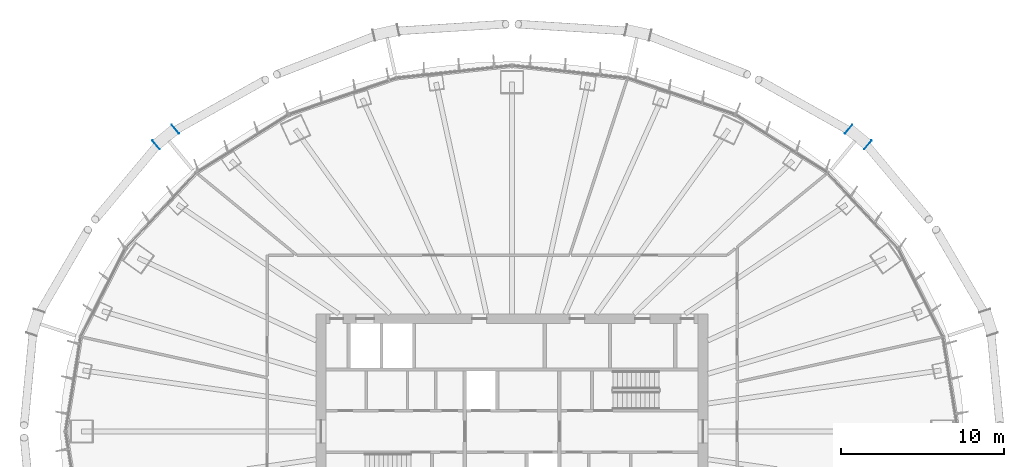
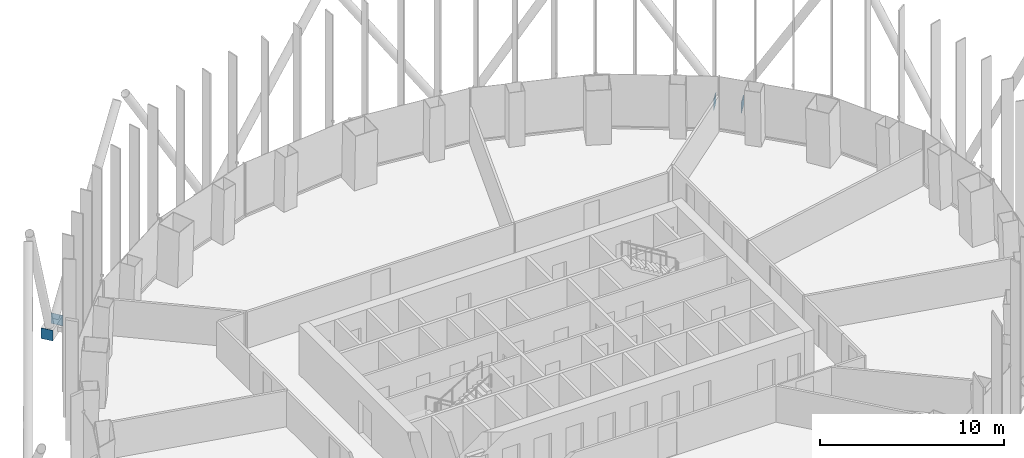
# One storey, part 11 of 19: 4 discrete accessories.
"""IFC4 building model written with IfcOpenShell, lengths in metres."""

from ifc_helpers import new_model, si_unit, direction, frame, origin, origin_2d, place, context, subcontext, project, spatial, rectangle, extrude, material, layer, layer_set, type_object, element, save


model = new_model("IFC4")

# Units and contexts
model_context = context("Model", 3, precision=1e-05, world=origin(), true_north=direction((0.0, 1.0)))
body_context = subcontext(model_context, "Body", "Model", "MODEL_VIEW")
ifc_project = project(units=[si_unit("LENGTHUNIT", "METRE"), si_unit("AREAUNIT", "SQUARE_METRE"), si_unit("VOLUMEUNIT", "CUBIC_METRE"), si_unit("PLANEANGLEUNIT", "RADIAN"), si_unit("MASSUNIT", "GRAM", prefix="KILO")], contexts=[model_context])

# Site, building, storey
site_placement = place(None, origin())
site = spatial("IfcSite", under=ifc_project, at=site_placement, CompositionType="ELEMENT")
building_placement = place(site_placement, origin())
building = spatial("IfcBuilding", under=site, at=building_placement, Name="Siaravel Broadcast Tower", CompositionType="ELEMENT")
storey_placement = place(building_placement, frame((0.0, 0.0, 59.300048828125)))
storey = spatial("IfcBuildingStorey", under=building, at=storey_placement, Name="L13", CompositionType="ELEMENT", Elevation=59.300048828125)

# Discrete accessories
ifc_material = material(Name="Steel S355", Category="steel")
ifc_layer = layer(ifc_material, 0.02001953125)
ifc_layer_set = layer_set([ifc_layer], Name="Steel S355")
discrete_accessory_type = type_object("IfcDiscreteAccessoryType", Name="Steel end plate 20 mm", PredefinedType="USERDEFINED", material=ifc_layer_set)
for number, where, z_axis, x_axis, name in (
    (1, (20.631103515625, 18.5283203125, -0.5498046875), (0.0, 0.0, 1.0), (-0.773604694, 0.633668508, 0.0), "End plate R06 station 09A"),
    (2, (21.812255859375, 17.56103515625, -0.5498046875), (0.0, 0.0, 1.0), (-0.773604694, 0.633668508, 0.0), "End plate R06 station 09B"),
    (3, (-21.812255859375, 17.56103515625, -0.5498046875), (0.0, 0.0, 1.0), (-0.773604694, -0.633668508, 0.0), "End plate R06 station 27A"),
    (4, (-20.631103515625, 18.5283203125, -0.5498046875), (0.0, 0.0, 1.0), (-0.773604694, -0.633668508, 0.0), "End plate R06 station 27B"),
):
    element("IfcDiscreteAccessory", number, at=place(storey_placement, frame(where, z_axis=z_axis, x_axis=x_axis)), inside=storey, type_object=discrete_accessory_type, Name=name, ObjectType="END PLATE", PredefinedType="USERDEFINED", context=body_context, shape_type="SweptSolid", body=[
        extrude(rectangle(XDim=0.02001953125, YDim=0.699951171875, at=origin_2d()), origin(), (0.0, 0.0, 1.0), 0.699951171875),
    ])

save(model, "model.ifc")
